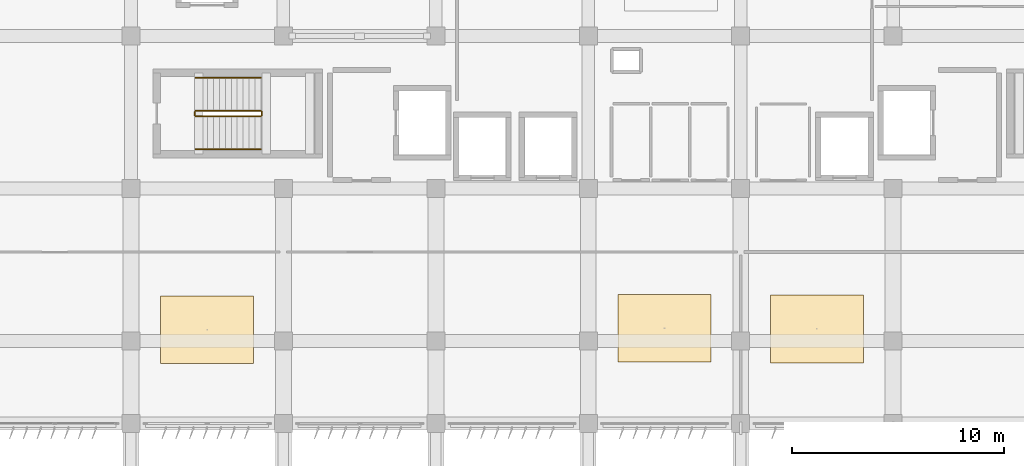
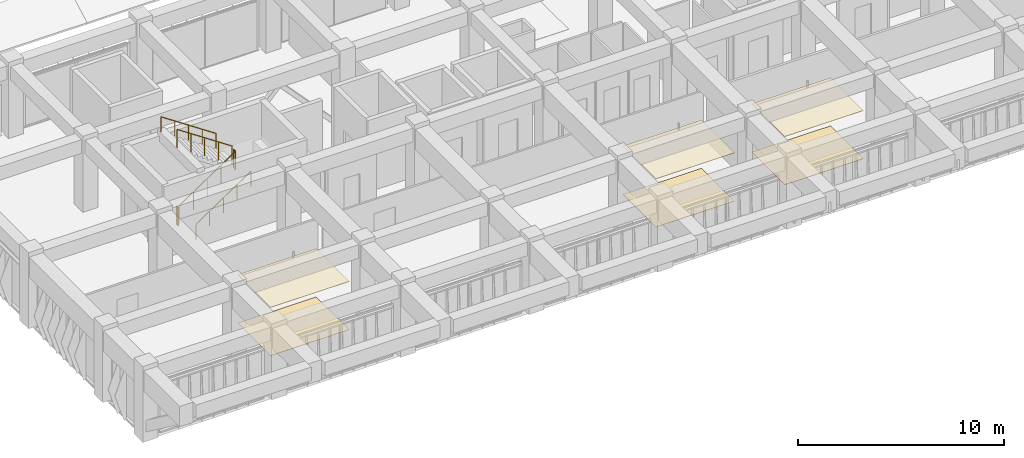
# One storey, part 53 of 56: 6 coverings, 6 railings.
"""IFC4 building model written with IfcOpenShell, lengths in metres."""

from ifc_helpers import new_model, si_unit, direction, frame, origin, origin_2d, place, context, subcontext, project, spatial, rectangle, circle, extrude, material, layer, layer_set, type_object, element, save


model = new_model("IFC4")

# Units and contexts
model_context = context("Model", 3, precision=1e-05, world=origin(), true_north=direction((0.0, 1.0)))
body_context = subcontext(model_context, "Body", "Model", "MODEL_VIEW")
ifc_project = project(units=[si_unit("LENGTHUNIT", "METRE"), si_unit("AREAUNIT", "SQUARE_METRE"), si_unit("VOLUMEUNIT", "CUBIC_METRE"), si_unit("PLANEANGLEUNIT", "RADIAN"), si_unit("MASSUNIT", "GRAM", prefix="KILO")], contexts=[model_context])

# Site, building, storey
site_placement = place(None, origin())
site = spatial("IfcSite", under=ifc_project, at=site_placement, CompositionType="ELEMENT")
building_placement = place(site_placement, origin())
building = spatial("IfcBuilding", under=site, at=building_placement, Name="Kazehaya Institute of Natural Sciences", CompositionType="ELEMENT")
storey_placement = place(building_placement, frame((0.0, 0.0, 24.300048828125)))
storey = spatial("IfcBuildingStorey", under=building, at=storey_placement, Name="L05", CompositionType="ELEMENT", Elevation=24.300048828125)

# Coverings
ifc_material_1 = material(Name="Mineral-fibre acoustic ceiling tile")
ifc_layer_1 = layer(ifc_material_1, 0.02490234375, Name="Mineral-fibre acoustic ceiling tile")
ifc_layer_set_1 = layer_set([ifc_layer_1], Name="Mineral-fibre acoustic ceiling tile")
covering_type_1 = type_object("IfcCoveringType", Name="COV-CEIL-AC", PredefinedType="CEILING", material=ifc_layer_set_1)
for number, where, z_axis, x_axis, name in (
    (1, (65.39990234375, 14.52490234375, 2.847412109375), (0.0, 0.0, 1.0), (1.0, 0.0, 0.0), "L05 Biochemistry Research Laboratory ceiling 48"),
    (2, (87.000244140625, 14.599853515625, 2.847412109375), (0.0, 0.0, 1.0), (1.0, 0.0, 0.0), "L05 Microbial Ecology Laboratory ceiling 49"),
    (3, (94.1953125, 14.5703125, 2.847412109375), (0.0, 0.0, 1.0), (1.0, 0.0, 0.0), "L05 Senior Fellow Write-up Office ceiling 50"),
):
    element("IfcCovering", number, at=place(storey_placement, frame(where, z_axis=z_axis, x_axis=x_axis)), inside=storey, type_object=covering_type_1, Name=name, PredefinedType="CEILING", context=body_context, shape_type="SweptSolid", body=[
        extrude(rectangle(XDim=4.39990234375, YDim=3.199951171875, at=origin_2d()), origin(), (0.0, 0.0, 1.0), 0.02490234375),
    ])
ifc_material_2 = material(Name="Seamless chemical-resistant epoxy flooring")
ifc_layer_2 = layer(ifc_material_2, 0.014892578125, Name="Seamless chemical-resistant epoxy flooring")
ifc_layer_set_2 = layer_set([ifc_layer_2], Name="Seamless chemical-resistant epoxy flooring")
covering_type_2 = type_object("IfcCoveringType", Name="COV-FLR-EPX", PredefinedType="FLOORING", material=ifc_layer_set_2)
for number, where, z_axis, x_axis, name in (
    (4, (65.39990234375, 14.52490234375, 0.0), (0.0, 0.0, 1.0), (1.0, 0.0, 0.0), "L05 Biochemistry Research Laboratory finish flooring 48"),
    (5, (87.000244140625, 14.599853515625, 0.0), (0.0, 0.0, 1.0), (1.0, 0.0, 0.0), "L05 Microbial Ecology Laboratory finish flooring 49"),
):
    element("IfcCovering", number, at=place(storey_placement, frame(where, z_axis=z_axis, x_axis=x_axis)), inside=storey, type_object=covering_type_2, Name=name, PredefinedType="FLOORING", context=body_context, shape_type="SweptSolid", body=[
        extrude(rectangle(XDim=4.39990234375, YDim=3.199951171875, at=origin_2d()), origin(), (0.0, 0.0, 1.0), 0.014892578125),
    ])
ifc_material_3 = material(Name="Polished Sawara stone terrazzo flooring", Category="masonry")
ifc_layer_3 = layer(ifc_material_3, 0.02001953125, Name="Polished Sawara stone terrazzo flooring", Category="masonry")
ifc_layer_set_3 = layer_set([ifc_layer_3], Name="Polished Sawara stone terrazzo flooring")
covering_type_3 = type_object("IfcCoveringType", Name="COV-FLR-TRZ", PredefinedType="FLOORING", material=ifc_layer_set_3)
covering_placement = place(storey_placement, frame((94.1953125, 14.5703125, 0.0), z_axis=(0.0, 0.0, 1.0), x_axis=(1.0, 0.0, 0.0)))
element("IfcCovering", 6, at=covering_placement, inside=storey, type_object=covering_type_3, Name="L05 Senior Fellow Write-up Office finish flooring 50", PredefinedType="FLOORING", context=body_context, shape_type="SweptSolid", body=[
    extrude(rectangle(XDim=4.39990234375, YDim=3.199951171875, at=origin_2d()), origin(), (0.0, 0.0, 1.0), 0.02001953125),
])

# Railings
ifc_material_4 = material(Name="Structural steel SN490B", Category="steel")
railing_type_1 = type_object("IfcRailingType", Name="RL-STAIR-GRD", PredefinedType="GUARDRAIL", material=ifc_material_4)
railing_1_placement = place(storey_placement, frame((64.860107421875, 24.610107421875, 0.1875)))
element("IfcRailing", 7, at=railing_1_placement, inside=storey, type_object=railing_type_1, Name="L05 ST-1 stair guard 1", PredefinedType="GUARDRAIL", context=body_context, shape_type="SweptSolid", body=[
    extrude(circle(Radius=0.02392578125, at=origin_2d()), frame((0.0, 0.0, 1.076171875), z_axis=(0.830893310487, 0.0, 0.556431762742), x_axis=(0.0, 1.0, 0.0)), (0.0, 0.0, 1.0), 3.70654296875),
    extrude(circle(Radius=0.02099609375, at=origin_2d()), origin(), (0.0, 0.0, 1.0), 1.052001953125),
    extrude(circle(Radius=0.02099609375, at=origin_2d()), frame((0.77001953125, 0.0, 0.515625)), (0.0, 0.0, 1.0), 1.052001953125),
    extrude(circle(Radius=0.02099609375, at=origin_2d()), frame((1.5400390625, 0.0, 1.03125)), (0.0, 0.0, 1.0), 1.052001953125),
    extrude(circle(Radius=0.02099609375, at=origin_2d()), frame((2.309814453125, 0.0, 1.546875)), (0.0, 0.0, 1.0), 1.052001953125),
    extrude(circle(Radius=0.02099609375, at=origin_2d()), frame((3.079833984375, 0.0, 2.0625)), (0.0, 0.0, 1.0), 1.052001953125),
])
railing_2_placement = place(storey_placement, frame((67.989990234375, 24.659912109375, 2.25)))
element("IfcRailing", 8, at=railing_2_placement, inside=storey, type_object=railing_type_1, Name="L05 ST-1 stair guard 2", PredefinedType="GUARDRAIL", context=body_context, shape_type="SweptSolid", body=[
    extrude(circle(Radius=0.02392578125, at=origin_2d()), frame((0.0, 0.0, 1.076171875), z_axis=(0.0, 1.0, 0.0), x_axis=(-1.0, 0.0, 0.0)), (0.0, 0.0, 1.0), 0.16015625),
    extrude(circle(Radius=0.02099609375, at=origin_2d()), origin(), (0.0, 0.0, 1.0), 1.052001953125),
    extrude(circle(Radius=0.02099609375, at=origin_2d()), frame((0.0, 0.16015625, 0.0)), (0.0, 0.0, 1.0), 1.052001953125),
])
railing_3_placement = place(storey_placement, frame((67.93994140625, 24.8701171875, 2.4375)))
element("IfcRailing", 9, at=railing_3_placement, inside=storey, type_object=railing_type_1, Name="L05 ST-1 stair guard 3", PredefinedType="GUARDRAIL", context=body_context, shape_type="SweptSolid", body=[
    extrude(circle(Radius=0.02392578125, at=origin_2d()), frame((0.0, 0.0, 1.076171875), z_axis=(-0.830893310487, 0.0, 0.556431762742), x_axis=(0.0, -1.0, 0.0)), (0.0, 0.0, 1.0), 3.70654296875),
    extrude(circle(Radius=0.02099609375, at=origin_2d()), origin(), (0.0, 0.0, 1.0), 1.052001953125),
    extrude(circle(Radius=0.02099609375, at=origin_2d()), frame((-0.77001953125, 0.0, 0.515625)), (0.0, 0.0, 1.0), 1.052001953125),
    extrude(circle(Radius=0.02099609375, at=origin_2d()), frame((-1.5400390625, 0.0, 1.03125)), (0.0, 0.0, 1.0), 1.052001953125),
    extrude(circle(Radius=0.02099609375, at=origin_2d()), frame((-2.309814453125, 0.0, 1.546875)), (0.0, 0.0, 1.0), 1.052001953125),
    extrude(circle(Radius=0.02099609375, at=origin_2d()), frame((-3.079833984375, 0.0, 2.0625)), (0.0, 0.0, 1.0), 1.052001953125),
])
railing_4_placement = place(storey_placement, frame((64.81005859375, 24.659912109375, 0.0)))
element("IfcRailing", 10, at=railing_4_placement, inside=storey, type_object=railing_type_1, Name="L05 ST-1 stair guard 4", PredefinedType="GUARDRAIL", context=body_context, shape_type="SweptSolid", body=[
    extrude(circle(Radius=0.02392578125, at=origin_2d()), frame((0.0, 0.0, 1.076171875), z_axis=(0.0, 1.0, 0.0), x_axis=(-1.0, 0.0, 0.0)), (0.0, 0.0, 1.0), 0.16015625),
    extrude(circle(Radius=0.02099609375, at=origin_2d()), origin(), (0.0, 0.0, 1.0), 1.052001953125),
    extrude(circle(Radius=0.02099609375, at=origin_2d()), frame((0.0, 0.16015625, 0.0)), (0.0, 0.0, 1.0), 1.052001953125),
])
ifc_material_5 = material(Name="Brushed stainless steel handrail", Category="steel")
railing_type_2 = type_object("IfcRailingType", Name="RL-STAIR-HND", PredefinedType="HANDRAIL", material=ifc_material_5)
railing_5_placement = place(storey_placement, frame((64.860107421875, 23.050048828125, 0.1875)))
element("IfcRailing", 11, at=railing_5_placement, inside=storey, type_object=railing_type_2, Name="L05 ST-1 stair handrail 1", PredefinedType="HANDRAIL", context=body_context, shape_type="SweptSolid", body=[
    extrude(circle(Radius=0.02392578125, at=origin_2d()), frame((0.0, 0.0, 0.8759765625), z_axis=(0.830893310487, 0.0, 0.556431762742), x_axis=(0.0, 1.0, 0.0)), (0.0, 0.0, 1.0), 3.70654296875),
    extrude(circle(Radius=0.02099609375, at=origin_2d()), origin(), (0.0, 0.0, 1.0), 0.851806640625),
    extrude(circle(Radius=0.02099609375, at=origin_2d()), frame((0.77001953125, 0.0, 0.515625)), (0.0, 0.0, 1.0), 0.851806640625),
    extrude(circle(Radius=0.02099609375, at=origin_2d()), frame((1.5400390625, 0.0, 1.03125)), (0.0, 0.0, 1.0), 0.851806640625),
    extrude(circle(Radius=0.02099609375, at=origin_2d()), frame((2.309814453125, 0.0, 1.546875)), (0.0, 0.0, 1.0), 0.851806640625),
    extrude(circle(Radius=0.02099609375, at=origin_2d()), frame((3.079833984375, 0.0, 2.0625)), (0.0, 0.0, 1.0), 0.851806640625),
])
railing_6_placement = place(storey_placement, frame((67.93994140625, 26.429931640625, 2.4375)))
element("IfcRailing", 12, at=railing_6_placement, inside=storey, type_object=railing_type_2, Name="L05 ST-1 stair handrail 2", PredefinedType="HANDRAIL", context=body_context, shape_type="SweptSolid", body=[
    extrude(circle(Radius=0.02392578125, at=origin_2d()), frame((0.0, 0.0, 0.8759765625), z_axis=(-0.830893310487, 0.0, 0.556431762742), x_axis=(0.0, -1.0, 0.0)), (0.0, 0.0, 1.0), 3.70654296875),
    extrude(circle(Radius=0.02099609375, at=origin_2d()), origin(), (0.0, 0.0, 1.0), 0.851806640625),
    extrude(circle(Radius=0.02099609375, at=origin_2d()), frame((-0.77001953125, 0.0, 0.515625)), (0.0, 0.0, 1.0), 0.851806640625),
    extrude(circle(Radius=0.02099609375, at=origin_2d()), frame((-1.5400390625, 0.0, 1.03125)), (0.0, 0.0, 1.0), 0.851806640625),
    extrude(circle(Radius=0.02099609375, at=origin_2d()), frame((-2.309814453125, 0.0, 1.546875)), (0.0, 0.0, 1.0), 0.851806640625),
    extrude(circle(Radius=0.02099609375, at=origin_2d()), frame((-3.079833984375, 0.0, 2.0625)), (0.0, 0.0, 1.0), 0.851806640625),
])

save(model, "model.ifc")
